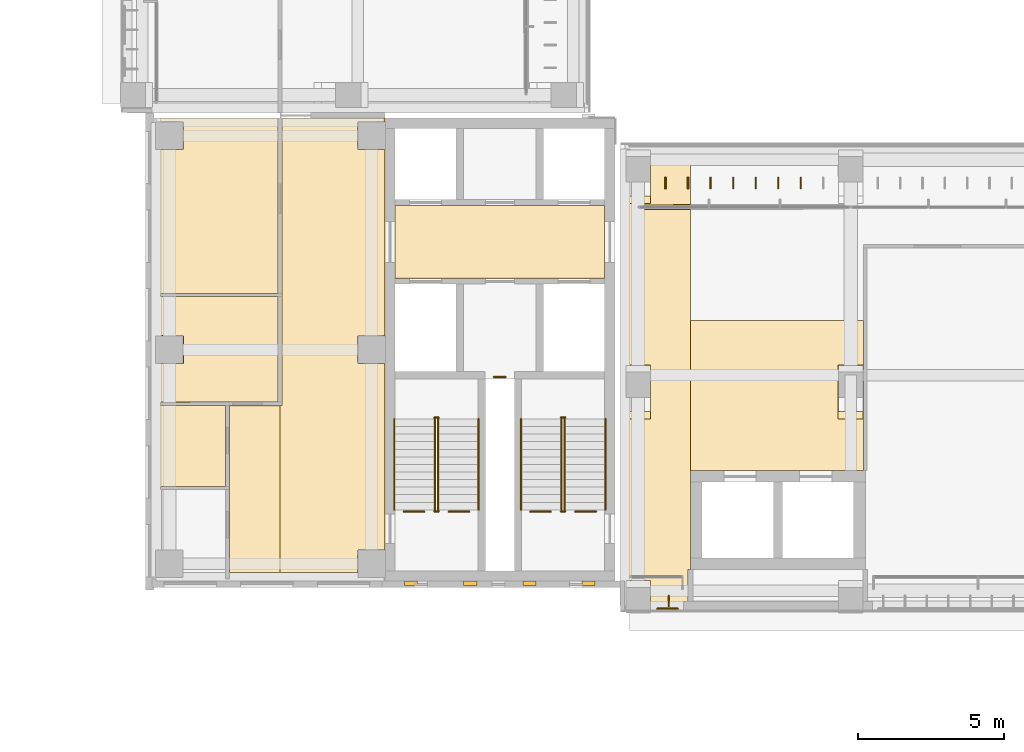
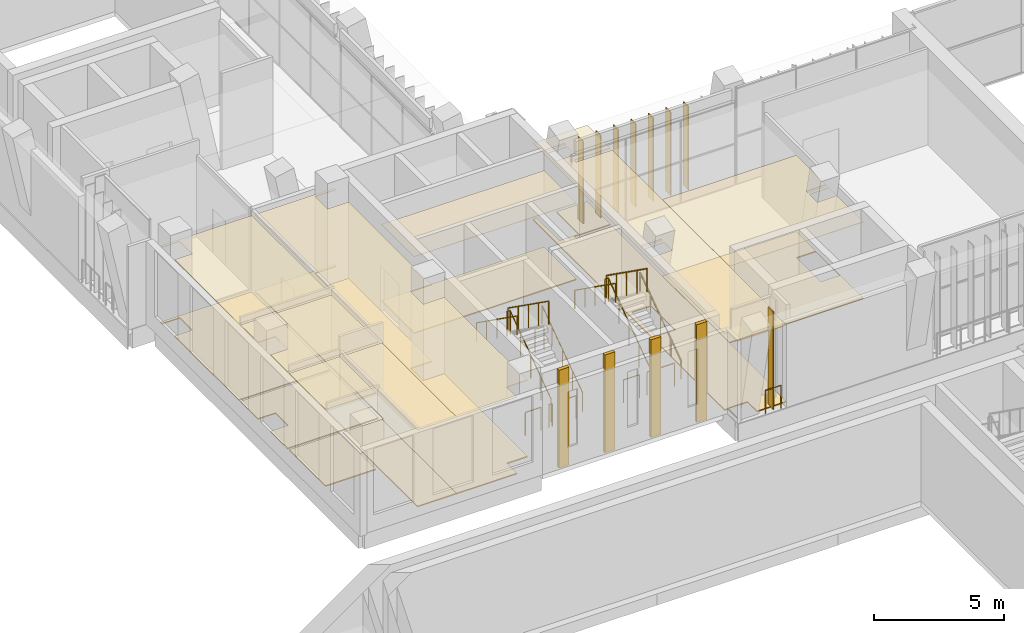
# One storey, part 74 of 92: 20 coverings, 18 railings, 8 shading devices.
"""IFC4 building model written with IfcOpenShell, lengths in metres."""

from ifc_helpers import new_model, si_unit, direction, frame, frame_2d, origin, origin_2d, place, context, subcontext, project, spatial, polyline, rectangle, circle, outline, extrude, material, layer, layer_set, type_object, element, save


model = new_model("IFC4")

# Units and contexts
model_context = context("Model", 3, precision=1e-05, world=origin(), true_north=direction((0.0, 1.0)))
body_context = subcontext(model_context, "Body", "Model", "MODEL_VIEW")
ifc_project = project(units=[si_unit("LENGTHUNIT", "METRE"), si_unit("AREAUNIT", "SQUARE_METRE"), si_unit("VOLUMEUNIT", "CUBIC_METRE"), si_unit("PLANEANGLEUNIT", "RADIAN"), si_unit("MASSUNIT", "GRAM", prefix="KILO")], contexts=[model_context])

# Site, building, storey
site_placement = place(None, origin())
site = spatial("IfcSite", under=ifc_project, at=site_placement, CompositionType="ELEMENT")
building_placement = place(site_placement, origin())
building = spatial("IfcBuilding", under=site, at=building_placement, Name="Lantern Court Media Centre", CompositionType="ELEMENT")
storey_placement = place(building_placement, frame((0.0, 0.0, 4.800048828125)))
storey = spatial("IfcBuildingStorey", under=building, at=storey_placement, Name="L01", CompositionType="ELEMENT", Elevation=4.800048828125)

# Coverings
ifc_material_1 = material(Name="Carpet")
ifc_layer_1 = layer(ifc_material_1, 0.050048828125)
ifc_layer_set_1 = layer_set([ifc_layer_1], Name="Carpet")
covering_type_1 = type_object("IfcCoveringType", Name="Carpet floor finish", PredefinedType="FLOORING", material=ifc_layer_set_1)
covering_1_placement = place(storey_placement, origin())
element("IfcCovering", 1, at=covering_1_placement, inside=storey, type_object=covering_type_1, Name="Library Administration Office floor finish", PredefinedType="FLOORING", context=body_context, shape_type="SweptSolid", body=[
    extrude(outline(polyline([(8.300048828125, 57.77294921875), (12.33251953125, 57.77294921875), (12.33251953125, 54.159423828125), (8.300048828125, 54.14697265625), (8.300048828125, 55.469970703125), (9.080078125, 55.47509765625), (9.078857421875, 56.42822265625), (8.300048828125, 56.429931640625), (8.300048828125, 57.77294921875)])), origin(), (0.0, 0.0, 1.0), 0.050048828125),
])
covering_2_placement = place(storey_placement, origin())
element("IfcCovering", 2, at=covering_2_placement, inside=storey, type_object=covering_type_1, Name="Conservation Laboratory floor finish", PredefinedType="FLOORING", context=body_context, shape_type="SweptSolid", body=[
    extrude(outline(polyline([(8.300048828125, 63.89990234375), (12.33251953125, 63.89990234375), (12.33251953125, 57.883056640625), (8.300048828125, 57.883056640625), (8.300048828125, 62.820068359375), (9.080078125, 62.824951171875), (9.0791015625, 63.77783203125), (8.300048828125, 63.780029296875), (8.300048828125, 63.89990234375)])), origin(), (0.0, 0.0, 1.0), 0.050048828125),
])
covering_3_placement = place(storey_placement, origin())
element("IfcCovering", 3, at=covering_3_placement, inside=storey, type_object=covering_type_1, Name="WC Female floor finish", PredefinedType="FLOORING", context=body_context, shape_type="SweptSolid", body=[
    extrude(outline(polyline([(8.300048828125, 54.037109375), (10.532470703125, 54.037109375), (10.532470703125, 51.2509765625), (8.300048828125, 51.2509765625), (8.300048828125, 54.037109375)])), origin(), (0.0, 0.0, 1.0), 0.050048828125),
])

# Railings
ifc_material_2 = material(Name="Powder-coated steel", Category="steel")
railing_type_1 = type_object("IfcRailingType", Name="Floor edge guard 1100", PredefinedType="GUARDRAIL", material=ifc_material_2)
railing_1_placement = place(storey_placement, frame((18.89990234375, 50.390380859375, 0.0)))
element("IfcRailing", 4, at=railing_1_placement, inside=storey, type_object=railing_type_1, Name="L01 opening guard 42", PredefinedType="GUARDRAIL", context=body_context, shape_type="SweptSolid", body=[
    extrude(circle(Radius=0.02392578125, at=origin_2d()), frame((0.0, 0.0, 1.076171875), z_axis=(-1.0, 0.0, 0.0), x_axis=(0.0, -1.0, 0.0)), (0.0, 0.0, 1.0), 0.70361328125),
    extrude(circle(Radius=0.02099609375, at=origin_2d()), origin(), (0.0, 0.0, 1.0), 1.052001953125),
    extrude(circle(Radius=0.02099609375, at=origin_2d()), frame((-0.70361328125, 0.0, 0.0)), (0.0, 0.0, 1.0), 1.052001953125),
])
railing_2_placement = place(storey_placement, frame((17.353759765625, 50.390380859375, 0.0)))
element("IfcRailing", 5, at=railing_2_placement, inside=storey, type_object=railing_type_1, Name="L01 opening guard 43", PredefinedType="GUARDRAIL", context=body_context, shape_type="SweptSolid", body=[
    extrude(circle(Radius=0.02392578125, at=origin_2d()), frame((0.0, 0.0, 1.076171875), z_axis=(-1.0, 0.0, 0.0), x_axis=(0.0, -1.0, 0.0)), (0.0, 0.0, 1.0), 0.703857421875),
    extrude(circle(Radius=0.02099609375, at=origin_2d()), origin(), (0.0, 0.0, 1.0), 1.052001953125),
    extrude(circle(Radius=0.02099609375, at=origin_2d()), frame((-0.703857421875, 0.0, 0.0)), (0.0, 0.0, 1.0), 1.052001953125),
])
for number, where, name in (
    (6, (23.25, 50.390380859375, 0.0), "L01 opening guard 44"),
    (7, (21.70361328125, 50.390380859375, 0.0), "L01 opening guard 45"),
):
    element("IfcRailing", number, at=place(storey_placement, frame(where)), inside=storey, type_object=railing_type_1, Name=name, PredefinedType="GUARDRAIL", context=body_context, shape_type="SweptSolid", body=[
        extrude(circle(Radius=0.02392578125, at=origin_2d()), frame((0.0, 0.0, 1.076171875), z_axis=(-1.0, 0.0, 0.0), x_axis=(0.0, -1.0, 0.0)), (0.0, 0.0, 1.0), 0.70361328125),
        extrude(circle(Radius=0.02099609375, at=origin_2d()), origin(), (0.0, 0.0, 1.0), 1.052001953125),
        extrude(circle(Radius=0.02099609375, at=origin_2d()), frame((-0.70361328125, 0.0, 0.0)), (0.0, 0.0, 1.0), 1.052001953125),
    ])
railing_3_placement = place(storey_placement, frame((20.14990234375, 55.010009765625, 0.0)))
element("IfcRailing", 8, at=railing_3_placement, inside=storey, type_object=railing_type_1, Name="L01 opening guard 46", PredefinedType="GUARDRAIL", context=body_context, shape_type="SweptSolid", body=[
    extrude(circle(Radius=0.02392578125, at=origin_2d()), frame((0.0, 0.0, 1.076171875), z_axis=(-1.0, 0.0, 0.0), x_axis=(0.0, -1.0, 0.0)), (0.0, 0.0, 1.0), 0.39990234375),
    extrude(circle(Radius=0.02099609375, at=origin_2d()), origin(), (0.0, 0.0, 1.0), 1.052001953125),
    extrude(circle(Radius=0.02099609375, at=origin_2d()), frame((-0.39990234375, 0.0, 0.0)), (0.0, 0.0, 1.0), 1.052001953125),
])
railing_4_placement = place(storey_placement, frame((26.05810546875, 47.06005859375, 0.0)))
element("IfcRailing", 9, at=railing_4_placement, inside=storey, type_object=railing_type_1, Name="L01 edge guard 11", PredefinedType="GUARDRAIL", context=body_context, shape_type="SweptSolid", body=[
    extrude(circle(Radius=0.02392578125, at=origin_2d()), frame((0.0, 0.0, 1.076171875), z_axis=(-1.0, 0.0, 0.0), x_axis=(0.0, -1.0, 0.0)), (0.0, 0.0, 1.0), 0.7001953125),
    extrude(circle(Radius=0.02099609375, at=origin_2d()), origin(), (0.0, 0.0, 1.0), 1.052001953125),
    extrude(circle(Radius=0.02099609375, at=origin_2d()), frame((-0.7001953125, 0.0, 0.0)), (0.0, 0.0, 1.0), 1.052001953125),
])

# Coverings
ifc_material_3 = material(Name="Honed limestone cladding", Category="masonry")
ifc_layer_2 = layer(ifc_material_3, 0.14990234375)
ifc_layer_set_2 = layer_set([ifc_layer_2], Name="Honed limestone cladding")
covering_type_2 = type_object("IfcCoveringType", Name="Limestone pilaster cladding 150", PredefinedType="CLADDING", material=ifc_layer_set_2)
covering_4_placement = place(storey_placement, frame((16.675048828125, 47.925048828125, 0.0), z_axis=(0.0, 0.0, 1.0), x_axis=(1.0, 0.0, 0.0)))
element("IfcCovering", 10, at=covering_4_placement, inside=storey, type_object=covering_type_2, Name="Limestone pilaster rib", PredefinedType="CLADDING", context=body_context, shape_type="SweptSolid", body=[
    extrude(rectangle(XDim=0.449951171875, YDim=0.14990234375, at=frame_2d((0.22509765625, 0.0))), origin(), (0.0, 0.0, 1.0), 4.579833984375),
])
covering_5_placement = place(storey_placement, frame((18.708251953125, 47.925048828125, 0.0), z_axis=(0.0, 0.0, 1.0), x_axis=(1.0, 0.0, 0.0)))
element("IfcCovering", 11, at=covering_5_placement, inside=storey, type_object=covering_type_2, Name="Limestone pilaster rib", PredefinedType="CLADDING", context=body_context, shape_type="SweptSolid", body=[
    extrude(rectangle(XDim=0.4501953125, YDim=0.14990234375, at=frame_2d((0.22509765625, 0.0))), origin(), (0.0, 0.0, 1.0), 4.579833984375),
])
covering_6_placement = place(storey_placement, frame((20.74169921875, 47.925048828125, 0.0), z_axis=(0.0, 0.0, 1.0), x_axis=(1.0, 0.0, 0.0)))
element("IfcCovering", 12, at=covering_6_placement, inside=storey, type_object=covering_type_2, Name="Limestone pilaster rib", PredefinedType="CLADDING", context=body_context, shape_type="SweptSolid", body=[
    extrude(rectangle(XDim=0.449951171875, YDim=0.14990234375, at=frame_2d((0.22509765625, 0.0))), origin(), (0.0, 0.0, 1.0), 4.579833984375),
])
covering_7_placement = place(storey_placement, frame((22.77490234375, 47.925048828125, 0.0), z_axis=(0.0, 0.0, 1.0), x_axis=(1.0, 0.0, 0.0)))
element("IfcCovering", 13, at=covering_7_placement, inside=storey, type_object=covering_type_2, Name="Limestone pilaster rib", PredefinedType="CLADDING", context=body_context, shape_type="SweptSolid", body=[
    extrude(rectangle(XDim=0.4501953125, YDim=0.14990234375, at=frame_2d((0.22509765625, 0.0))), origin(), (0.0, 0.0, 1.0), 4.579833984375),
])

# Railings
railing_type_2 = type_object("IfcRailingType", Name="Stair guard 1100", PredefinedType="GUARDRAIL", material=ifc_material_2)
railing_5_placement = place(storey_placement, frame((17.825927734375, 50.449951171875, 0.1845703125)))
element("IfcRailing", 14, at=railing_5_placement, inside=storey, type_object=railing_type_2, Name="L01 ST-SWA stair guard 1", PredefinedType="GUARDRAIL", context=body_context, shape_type="SweptSolid", body=[
    extrude(circle(Radius=0.02392578125, at=origin_2d()), frame((0.0, 0.0, 1.076171875), z_axis=(0.0, 0.815376961211, 0.578930402662), x_axis=(-1.0, 0.0, 0.0)), (0.0, 0.0, 1.0), 3.82666015625),
    extrude(circle(Radius=0.02099609375, at=origin_2d()), origin(), (0.0, 0.0, 1.0), 1.052001953125),
    extrude(circle(Radius=0.02099609375, at=origin_2d()), frame((0.0, 0.780029296875, 0.5537109375)), (0.0, 0.0, 1.0), 1.052001953125),
    extrude(circle(Radius=0.02099609375, at=origin_2d()), frame((0.0, 1.56005859375, 1.107666015625)), (0.0, 0.0, 1.0), 1.052001953125),
    extrude(circle(Radius=0.02099609375, at=origin_2d()), frame((0.0, 2.340087890625, 1.66162109375)), (0.0, 0.0, 1.0), 1.052001953125),
    extrude(circle(Radius=0.02099609375, at=origin_2d()), frame((0.0, 3.1201171875, 2.21533203125)), (0.0, 0.0, 1.0), 1.052001953125),
])
railing_6_placement = place(storey_placement, frame((17.85009765625, 53.6201171875, 2.39990234375)))
element("IfcRailing", 15, at=railing_6_placement, inside=storey, type_object=railing_type_2, Name="L01 ST-SWA stair guard 2", PredefinedType="GUARDRAIL", context=body_context, shape_type="SweptSolid", body=[
    extrude(circle(Radius=0.02392578125, at=origin_2d()), frame((0.0, 0.0, 1.076171875), z_axis=(-1.0, 0.0, 0.0), x_axis=(0.0, -1.0, 0.0)), (0.0, 0.0, 1.0), 0.150146484375),
    extrude(circle(Radius=0.02099609375, at=origin_2d()), origin(), (0.0, 0.0, 1.0), 1.052001953125),
    extrude(circle(Radius=0.02099609375, at=origin_2d()), frame((-0.150146484375, 0.0, 0.0)), (0.0, 0.0, 1.0), 1.052001953125),
])
railing_7_placement = place(storey_placement, frame((17.72412109375, 53.570068359375, 2.58447265625)))
element("IfcRailing", 16, at=railing_7_placement, inside=storey, type_object=railing_type_2, Name="L01 ST-SWA stair guard 3", PredefinedType="GUARDRAIL", context=body_context, shape_type="SweptSolid", body=[
    extrude(circle(Radius=0.02392578125, at=origin_2d()), frame((0.0, 0.0, 1.076171875), z_axis=(0.0, -0.815346844174, 0.578972817752), x_axis=(1.0, 0.0, 0.0)), (0.0, 0.0, 1.0), 3.82666015625),
    extrude(circle(Radius=0.02099609375, at=origin_2d()), origin(), (0.0, 0.0, 1.0), 1.052001953125),
    extrude(circle(Radius=0.02099609375, at=origin_2d()), frame((0.0, -0.780029296875, 0.553955078125)), (0.0, 0.0, 1.0), 1.052001953125),
    extrude(circle(Radius=0.02099609375, at=origin_2d()), frame((0.0, -1.56005859375, 1.10791015625)), (0.0, 0.0, 1.0), 1.052001953125),
    extrude(circle(Radius=0.02099609375, at=origin_2d()), frame((0.0, -2.340087890625, 1.66162109375)), (0.0, 0.0, 1.0), 1.052001953125),
    extrude(circle(Radius=0.02099609375, at=origin_2d()), frame((0.0, -3.1201171875, 2.215576171875)), (0.0, 0.0, 1.0), 1.052001953125),
])
railing_8_placement = place(storey_placement, frame((17.85009765625, 50.39990234375, 0.0)))
element("IfcRailing", 17, at=railing_8_placement, inside=storey, type_object=railing_type_2, Name="L01 ST-SWA stair guard 4", PredefinedType="GUARDRAIL", context=body_context, shape_type="SweptSolid", body=[
    extrude(circle(Radius=0.02392578125, at=origin_2d()), frame((0.0, 0.0, 1.076171875), z_axis=(-1.0, 0.0, 0.0), x_axis=(0.0, -1.0, 0.0)), (0.0, 0.0, 1.0), 0.150146484375),
    extrude(circle(Radius=0.02099609375, at=origin_2d()), origin(), (0.0, 0.0, 1.0), 1.052001953125),
    extrude(circle(Radius=0.02099609375, at=origin_2d()), frame((-0.150146484375, 0.0, 0.0)), (0.0, 0.0, 1.0), 1.052001953125),
])
railing_9_placement = place(storey_placement, frame((22.176025390625, 50.449951171875, 0.1845703125)))
element("IfcRailing", 18, at=railing_9_placement, inside=storey, type_object=railing_type_2, Name="L01 ST-SWB stair guard 1", PredefinedType="GUARDRAIL", context=body_context, shape_type="SweptSolid", body=[
    extrude(circle(Radius=0.02392578125, at=origin_2d()), frame((0.0, 0.0, 1.076171875), z_axis=(0.0, 0.815376961211, 0.578930402662), x_axis=(-1.0, 0.0, 0.0)), (0.0, 0.0, 1.0), 3.82666015625),
    extrude(circle(Radius=0.02099609375, at=origin_2d()), origin(), (0.0, 0.0, 1.0), 1.052001953125),
    extrude(circle(Radius=0.02099609375, at=origin_2d()), frame((0.0, 0.780029296875, 0.5537109375)), (0.0, 0.0, 1.0), 1.052001953125),
    extrude(circle(Radius=0.02099609375, at=origin_2d()), frame((0.0, 1.56005859375, 1.107666015625)), (0.0, 0.0, 1.0), 1.052001953125),
    extrude(circle(Radius=0.02099609375, at=origin_2d()), frame((0.0, 2.340087890625, 1.66162109375)), (0.0, 0.0, 1.0), 1.052001953125),
    extrude(circle(Radius=0.02099609375, at=origin_2d()), frame((0.0, 3.1201171875, 2.21533203125)), (0.0, 0.0, 1.0), 1.052001953125),
])
railing_10_placement = place(storey_placement, frame((22.199951171875, 53.6201171875, 2.39990234375)))
element("IfcRailing", 19, at=railing_10_placement, inside=storey, type_object=railing_type_2, Name="L01 ST-SWB stair guard 2", PredefinedType="GUARDRAIL", context=body_context, shape_type="SweptSolid", body=[
    extrude(circle(Radius=0.02392578125, at=origin_2d()), frame((0.0, 0.0, 1.076171875), z_axis=(-1.0, 0.0, 0.0), x_axis=(0.0, -1.0, 0.0)), (0.0, 0.0, 1.0), 0.14990234375),
    extrude(circle(Radius=0.02099609375, at=origin_2d()), origin(), (0.0, 0.0, 1.0), 1.052001953125),
    extrude(circle(Radius=0.02099609375, at=origin_2d()), frame((-0.14990234375, 0.0, 0.0)), (0.0, 0.0, 1.0), 1.052001953125),
])
railing_11_placement = place(storey_placement, frame((22.073974609375, 53.570068359375, 2.58447265625)))
element("IfcRailing", 20, at=railing_11_placement, inside=storey, type_object=railing_type_2, Name="L01 ST-SWB stair guard 3", PredefinedType="GUARDRAIL", context=body_context, shape_type="SweptSolid", body=[
    extrude(circle(Radius=0.02392578125, at=origin_2d()), frame((0.0, 0.0, 1.076171875), z_axis=(0.0, -0.815346844174, 0.578972817752), x_axis=(1.0, 0.0, 0.0)), (0.0, 0.0, 1.0), 3.82666015625),
    extrude(circle(Radius=0.02099609375, at=origin_2d()), origin(), (0.0, 0.0, 1.0), 1.052001953125),
    extrude(circle(Radius=0.02099609375, at=origin_2d()), frame((0.0, -0.780029296875, 0.553955078125)), (0.0, 0.0, 1.0), 1.052001953125),
    extrude(circle(Radius=0.02099609375, at=origin_2d()), frame((0.0, -1.56005859375, 1.10791015625)), (0.0, 0.0, 1.0), 1.052001953125),
    extrude(circle(Radius=0.02099609375, at=origin_2d()), frame((0.0, -2.340087890625, 1.66162109375)), (0.0, 0.0, 1.0), 1.052001953125),
    extrude(circle(Radius=0.02099609375, at=origin_2d()), frame((0.0, -3.1201171875, 2.215576171875)), (0.0, 0.0, 1.0), 1.052001953125),
])
railing_12_placement = place(storey_placement, frame((22.199951171875, 50.39990234375, 0.0)))
element("IfcRailing", 21, at=railing_12_placement, inside=storey, type_object=railing_type_2, Name="L01 ST-SWB stair guard 4", PredefinedType="GUARDRAIL", context=body_context, shape_type="SweptSolid", body=[
    extrude(circle(Radius=0.02392578125, at=origin_2d()), frame((0.0, 0.0, 1.076171875), z_axis=(-1.0, 0.0, 0.0), x_axis=(0.0, -1.0, 0.0)), (0.0, 0.0, 1.0), 0.14990234375),
    extrude(circle(Radius=0.02099609375, at=origin_2d()), origin(), (0.0, 0.0, 1.0), 1.052001953125),
    extrude(circle(Radius=0.02099609375, at=origin_2d()), frame((-0.14990234375, 0.0, 0.0)), (0.0, 0.0, 1.0), 1.052001953125),
])
railing_type_3 = type_object("IfcRailingType", Name="Stair handrail 900", PredefinedType="HANDRAIL", material=ifc_material_2)
railing_13_placement = place(storey_placement, frame((19.22412109375, 50.449951171875, 0.1845703125)))
element("IfcRailing", 22, at=railing_13_placement, inside=storey, type_object=railing_type_3, Name="L01 ST-SWA stair handrail 1", PredefinedType="HANDRAIL", context=body_context, shape_type="SweptSolid", body=[
    extrude(circle(Radius=0.02392578125, at=origin_2d()), frame((0.0, 0.0, 0.8759765625), z_axis=(0.0, 0.815376961211, 0.578930402662), x_axis=(-1.0, 0.0, 0.0)), (0.0, 0.0, 1.0), 3.82666015625),
    extrude(circle(Radius=0.02099609375, at=origin_2d()), origin(), (0.0, 0.0, 1.0), 0.851806640625),
    extrude(circle(Radius=0.02099609375, at=origin_2d()), frame((0.0, 0.780029296875, 0.5537109375)), (0.0, 0.0, 1.0), 0.851806640625),
    extrude(circle(Radius=0.02099609375, at=origin_2d()), frame((0.0, 1.56005859375, 1.107666015625)), (0.0, 0.0, 1.0), 0.851806640625),
    extrude(circle(Radius=0.02099609375, at=origin_2d()), frame((0.0, 2.340087890625, 1.66162109375)), (0.0, 0.0, 1.0), 0.851806640625),
    extrude(circle(Radius=0.02099609375, at=origin_2d()), frame((0.0, 3.1201171875, 2.21533203125)), (0.0, 0.0, 1.0), 0.851806640625),
])
railing_14_placement = place(storey_placement, frame((16.325927734375, 53.570068359375, 2.58447265625)))
element("IfcRailing", 23, at=railing_14_placement, inside=storey, type_object=railing_type_3, Name="L01 ST-SWA stair handrail 2", PredefinedType="HANDRAIL", context=body_context, shape_type="SweptSolid", body=[
    extrude(circle(Radius=0.02392578125, at=origin_2d()), frame((0.0, 0.0, 0.8759765625), z_axis=(0.0, -0.815346844174, 0.578972817752), x_axis=(1.0, 0.0, 0.0)), (0.0, 0.0, 1.0), 3.82666015625),
    extrude(circle(Radius=0.02099609375, at=origin_2d()), origin(), (0.0, 0.0, 1.0), 0.851806640625),
    extrude(circle(Radius=0.02099609375, at=origin_2d()), frame((0.0, -0.780029296875, 0.553955078125)), (0.0, 0.0, 1.0), 0.851806640625),
    extrude(circle(Radius=0.02099609375, at=origin_2d()), frame((0.0, -1.56005859375, 1.10791015625)), (0.0, 0.0, 1.0), 0.851806640625),
    extrude(circle(Radius=0.02099609375, at=origin_2d()), frame((0.0, -2.340087890625, 1.66162109375)), (0.0, 0.0, 1.0), 0.851806640625),
    extrude(circle(Radius=0.02099609375, at=origin_2d()), frame((0.0, -3.1201171875, 2.215576171875)), (0.0, 0.0, 1.0), 0.851806640625),
])
railing_15_placement = place(storey_placement, frame((23.573974609375, 50.449951171875, 0.1845703125)))
element("IfcRailing", 24, at=railing_15_placement, inside=storey, type_object=railing_type_3, Name="L01 ST-SWB stair handrail 1", PredefinedType="HANDRAIL", context=body_context, shape_type="SweptSolid", body=[
    extrude(circle(Radius=0.02392578125, at=origin_2d()), frame((0.0, 0.0, 0.8759765625), z_axis=(0.0, 0.815376961211, 0.578930402662), x_axis=(-1.0, 0.0, 0.0)), (0.0, 0.0, 1.0), 3.82666015625),
    extrude(circle(Radius=0.02099609375, at=origin_2d()), origin(), (0.0, 0.0, 1.0), 0.851806640625),
    extrude(circle(Radius=0.02099609375, at=origin_2d()), frame((0.0, 0.780029296875, 0.5537109375)), (0.0, 0.0, 1.0), 0.851806640625),
    extrude(circle(Radius=0.02099609375, at=origin_2d()), frame((0.0, 1.56005859375, 1.107666015625)), (0.0, 0.0, 1.0), 0.851806640625),
    extrude(circle(Radius=0.02099609375, at=origin_2d()), frame((0.0, 2.340087890625, 1.66162109375)), (0.0, 0.0, 1.0), 0.851806640625),
    extrude(circle(Radius=0.02099609375, at=origin_2d()), frame((0.0, 3.1201171875, 2.21533203125)), (0.0, 0.0, 1.0), 0.851806640625),
])
railing_16_placement = place(storey_placement, frame((20.676025390625, 53.570068359375, 2.58447265625)))
element("IfcRailing", 25, at=railing_16_placement, inside=storey, type_object=railing_type_3, Name="L01 ST-SWB stair handrail 2", PredefinedType="HANDRAIL", context=body_context, shape_type="SweptSolid", body=[
    extrude(circle(Radius=0.02392578125, at=origin_2d()), frame((0.0, 0.0, 0.8759765625), z_axis=(0.0, -0.815346844174, 0.578972817752), x_axis=(1.0, 0.0, 0.0)), (0.0, 0.0, 1.0), 3.82666015625),
    extrude(circle(Radius=0.02099609375, at=origin_2d()), origin(), (0.0, 0.0, 1.0), 0.851806640625),
    extrude(circle(Radius=0.02099609375, at=origin_2d()), frame((0.0, -0.780029296875, 0.553955078125)), (0.0, 0.0, 1.0), 0.851806640625),
    extrude(circle(Radius=0.02099609375, at=origin_2d()), frame((0.0, -1.56005859375, 1.10791015625)), (0.0, 0.0, 1.0), 0.851806640625),
    extrude(circle(Radius=0.02099609375, at=origin_2d()), frame((0.0, -2.340087890625, 1.66162109375)), (0.0, 0.0, 1.0), 0.851806640625),
    extrude(circle(Radius=0.02099609375, at=origin_2d()), frame((0.0, -3.1201171875, 2.215576171875)), (0.0, 0.0, 1.0), 0.851806640625),
])

# Coverings
ifc_material_4 = material(Name="Mineral fibre ceiling tile")
ifc_layer_3 = layer(ifc_material_4, 0.02001953125)
ifc_layer_set_3 = layer_set([ifc_layer_3], Name="Mineral fibre ceiling tile")
covering_type_3 = type_object("IfcCoveringType", Name="Suspended ceiling tile", PredefinedType="CEILING", material=ifc_layer_set_3)
covering_8_placement = place(storey_placement, frame((0.0, 0.0, 3.599853515625)))
element("IfcCovering", 26, at=covering_8_placement, inside=storey, type_object=covering_type_3, Name="End Lobby ceiling", PredefinedType="CEILING", context=body_context, shape_type="SweptSolid", body=[
    extrude(outline(polyline([(26.5, 60.7744140625), (26.49951171875, 48.400390625), (26.41943359375, 48.400146484375), (26.41943359375, 47.300537109375), (24.240478515625, 47.300048828125), (24.240478515625, 48.0), (24.10009765625, 48.00048828125), (24.10009765625, 62.699951171875), (26.5, 62.699951171875), (26.5, 60.925537109375), (24.8994140625, 60.925048828125), (24.89990234375, 60.7744140625), (26.5, 60.7744140625)]), holes=[polyline([(25.125, 53.822509765625), (25.125244140625, 54.425537109375), (24.274658203125, 54.42529296875), (24.274658203125, 53.822509765625), (25.125, 53.822509765625)]), polyline([(25.125, 54.574462890625), (25.125, 54.67333984375), (24.2744140625, 54.6728515625), (24.27490234375, 54.574462890625), (25.125, 54.574462890625)]), polyline([(25.125, 61.222412109375), (25.125244140625, 61.825439453125), (24.274658203125, 61.8251953125), (24.274658203125, 61.222412109375), (25.125, 61.222412109375)]), polyline([(25.125, 61.974609375), (25.125, 62.073486328125), (24.2744140625, 62.072998046875), (24.27490234375, 61.974609375), (25.125, 61.974609375)])]), origin(), (0.0, 0.0, 1.0), 0.02001953125),
])
covering_9_placement = place(storey_placement, frame((0.0, 0.0, 3.599853515625)))
element("IfcCovering", 27, at=covering_9_placement, inside=storey, type_object=covering_type_3, Name="Lift Lobby ceiling", PredefinedType="CEILING", context=body_context, shape_type="SweptSolid", body=[
    extrude(outline(polyline([(26.5, 56.949951171875), (32.43701171875, 56.949951171875), (32.43701171875, 51.800537109375), (26.5, 51.800537109375), (26.5, 56.949951171875)]), holes=[polyline([(32.425048828125, 53.822509765625), (32.42529296875, 54.425537109375), (31.574462890625, 54.42529296875), (31.57470703125, 53.822509765625), (32.425048828125, 53.822509765625)]), polyline([(32.425048828125, 54.574462890625), (32.425048828125, 54.67333984375), (31.574462890625, 54.6728515625), (31.574951171875, 54.574462890625), (32.425048828125, 54.574462890625)])]), origin(), (0.0, 0.0, 1.0), 0.02001953125),
])
covering_10_placement = place(storey_placement, frame((0.0, 0.0, 3.599853515625)))
element("IfcCovering", 28, at=covering_10_placement, inside=storey, type_object=covering_type_3, Name="Lift Lobby ceiling", PredefinedType="CEILING", context=body_context, shape_type="SweptSolid", body=[
    extrude(outline(polyline([(16.3505859375, 60.8994140625), (23.549560546875, 60.8994140625), (23.549560546875, 58.400390625), (16.3505859375, 58.400390625), (16.3505859375, 60.8994140625)])), origin(), (0.0, 0.0, 1.0), 0.02001953125),
])
covering_11_placement = place(storey_placement, frame((0.0, 0.0, 3.599853515625)))
element("IfcCovering", 29, at=covering_11_placement, inside=storey, type_object=covering_type_3, Name="Corridor ceiling", PredefinedType="CEILING", context=body_context, shape_type="SweptSolid", body=[
    extrude(outline(polyline([(12.39990234375, 48.300048828125), (12.39990234375, 54.029052734375), (12.462890625, 54.029541015625), (12.462890625, 63.8994140625), (15.99951171875, 63.8994140625), (15.99951171875, 63.775390625), (15.074462890625, 63.77490234375), (15.07470703125, 62.82470703125), (15.99951171875, 62.824462890625), (15.99951171875, 56.425537109375), (15.074462890625, 56.425048828125), (15.07470703125, 55.474609375), (15.99951171875, 55.474609375), (15.99951171875, 49.075439453125), (15.07470703125, 49.075439453125), (15.074462890625, 48.300048828125), (12.39990234375, 48.300048828125)])), origin(), (0.0, 0.0, 1.0), 0.02001953125),
])
covering_12_placement = place(storey_placement, frame((0.0, 0.0, 3.599853515625)))
element("IfcCovering", 30, at=covering_12_placement, inside=storey, type_object=covering_type_3, Name="Library Administration Office ceiling", PredefinedType="CEILING", context=body_context, shape_type="SweptSolid", body=[
    extrude(outline(polyline([(8.300048828125, 57.777587890625), (12.3369140625, 57.777587890625), (12.3369140625, 54.155029296875), (8.300048828125, 54.142578125), (8.300048828125, 55.474609375), (9.075439453125, 55.47509765625), (9.075439453125, 56.42529296875), (8.300048828125, 56.425537109375), (8.300048828125, 57.777587890625)])), origin(), (0.0, 0.0, 1.0), 0.02001953125),
])
covering_13_placement = place(storey_placement, frame((0.0, 0.0, 3.599853515625)))
element("IfcCovering", 31, at=covering_13_placement, inside=storey, type_object=covering_type_3, Name="Conservation Laboratory ceiling", PredefinedType="CEILING", context=body_context, shape_type="SweptSolid", body=[
    extrude(outline(polyline([(8.300048828125, 63.89990234375), (12.3369140625, 63.89990234375), (12.3369140625, 57.87841796875), (8.300048828125, 57.87841796875), (8.300048828125, 62.824462890625), (9.075439453125, 62.824951171875), (9.075439453125, 63.775390625), (8.300048828125, 63.775390625), (8.300048828125, 63.89990234375)])), origin(), (0.0, 0.0, 1.0), 0.02001953125),
])
covering_14_placement = place(storey_placement, frame((0.0, 0.0, 3.599853515625)))
element("IfcCovering", 32, at=covering_14_placement, inside=storey, type_object=covering_type_3, Name="WC Lobby ceiling", PredefinedType="CEILING", context=body_context, shape_type="SweptSolid", body=[
    extrude(outline(polyline([(12.39990234375, 48.300048828125), (10.6630859375, 48.300048828125), (10.6630859375, 54.029052734375), (12.39990234375, 54.029052734375), (12.39990234375, 48.300048828125)])), origin(), (0.0, 0.0, 1.0), 0.02001953125),
])
covering_15_placement = place(storey_placement, frame((0.0, 0.0, 3.599853515625)))
element("IfcCovering", 33, at=covering_15_placement, inside=storey, type_object=covering_type_3, Name="WC Female ceiling", PredefinedType="CEILING", context=body_context, shape_type="SweptSolid", body=[
    extrude(outline(polyline([(8.300048828125, 54.04150390625), (10.537109375, 54.04150390625), (10.537109375, 51.24658203125), (8.300048828125, 51.24658203125), (8.300048828125, 54.04150390625)])), origin(), (0.0, 0.0, 1.0), 0.02001953125),
])
ifc_material_5 = material(Name="Terrazzo")
ifc_layer_4 = layer(ifc_material_5, 0.050048828125)
ifc_layer_set_4 = layer_set([ifc_layer_4], Name="Terrazzo")
covering_type_4 = type_object("IfcCoveringType", Name="Terrazzo floor finish", PredefinedType="FLOORING", material=ifc_layer_set_4)
covering_16_placement = place(storey_placement, origin())
element("IfcCovering", 34, at=covering_16_placement, inside=storey, type_object=covering_type_4, Name="End Lobby floor finish", PredefinedType="FLOORING", context=body_context, shape_type="SweptSolid", body=[
    extrude(outline(polyline([(26.5, 60.77001953125), (26.4951171875, 48.405029296875), (26.4150390625, 48.400390625), (26.4150390625, 47.304931640625), (25.1298828125, 47.300048828125), (25.128173828125, 48.02880859375), (24.27490234375, 48.030029296875), (24.27001953125, 47.300048828125), (24.2451171875, 47.300048828125), (24.244873046875, 48.0009765625), (24.10009765625, 48.0048828125), (24.10009765625, 62.699951171875), (24.27001953125, 62.699951171875), (24.27490234375, 60.969970703125), (25.12939453125, 60.97265625), (25.1298828125, 62.699951171875), (26.5, 62.699951171875), (26.5, 60.929931640625), (24.89501953125, 60.925048828125), (24.8994140625, 60.77001953125), (26.5, 60.77001953125)]), holes=[polyline([(24.27001953125, 53.574951171875), (25.129638671875, 53.572998046875), (25.126953125, 55.4296875), (24.270263671875, 55.427001953125), (24.27001953125, 53.574951171875)])]), origin(), (0.0, 0.0, 1.0), 0.050048828125),
])
covering_17_placement = place(storey_placement, origin())
element("IfcCovering", 35, at=covering_17_placement, inside=storey, type_object=covering_type_4, Name="Lift Lobby floor finish", PredefinedType="FLOORING", context=body_context, shape_type="SweptSolid", body=[
    extrude(outline(polyline([(26.5, 56.949951171875), (32.4326171875, 56.949951171875), (32.4326171875, 51.804931640625), (26.5, 51.804931640625), (26.5, 56.949951171875)]), holes=[polyline([(31.570068359375, 53.574951171875), (32.4296875, 53.572998046875), (32.427001953125, 55.4296875), (31.5703125, 55.427001953125), (31.570068359375, 53.574951171875)])]), origin(), (0.0, 0.0, 1.0), 0.050048828125),
])
covering_18_placement = place(storey_placement, origin())
element("IfcCovering", 36, at=covering_18_placement, inside=storey, type_object=covering_type_4, Name="Lift Lobby floor finish", PredefinedType="FLOORING", context=body_context, shape_type="SweptSolid", body=[
    extrude(outline(polyline([(16.35498046875, 60.89501953125), (23.544921875, 60.89501953125), (23.544921875, 58.405029296875), (16.35498046875, 58.405029296875), (16.35498046875, 60.89501953125)])), origin(), (0.0, 0.0, 1.0), 0.050048828125),
])
covering_19_placement = place(storey_placement, origin())
element("IfcCovering", 37, at=covering_19_placement, inside=storey, type_object=covering_type_4, Name="Corridor floor finish", PredefinedType="FLOORING", context=body_context, shape_type="SweptSolid", body=[
    extrude(outline(polyline([(12.39990234375, 48.300048828125), (12.39990234375, 54.0244140625), (12.467529296875, 54.029541015625), (12.467529296875, 63.89501953125), (15.9951171875, 63.89501953125), (15.9951171875, 63.780029296875), (15.070068359375, 63.77490234375), (15.071533203125, 62.821533203125), (15.9951171875, 62.820068359375), (15.9951171875, 56.429931640625), (15.070068359375, 56.425048828125), (15.071533203125, 55.471435546875), (15.9951171875, 55.469970703125), (15.9951171875, 49.080078125), (15.07177734375, 49.078857421875), (15.070068359375, 48.300048828125), (12.39990234375, 48.300048828125)])), origin(), (0.0, 0.0, 1.0), 0.050048828125),
])
covering_20_placement = place(storey_placement, origin())
element("IfcCovering", 38, at=covering_20_placement, inside=storey, type_object=covering_type_4, Name="WC Lobby floor finish", PredefinedType="FLOORING", context=body_context, shape_type="SweptSolid", body=[
    extrude(outline(polyline([(12.39990234375, 48.300048828125), (10.66748046875, 48.300048828125), (10.66748046875, 54.0244140625), (12.39990234375, 54.0244140625), (12.39990234375, 48.300048828125)])), origin(), (0.0, 0.0, 1.0), 0.050048828125),
])

# Shading devices
ifc_material_6 = material(Name="Bronze anodised aluminium louvre", Category="aluminium")
ifc_layer_5 = layer(ifc_material_6, 0.0400390625)
ifc_layer_set_5 = layer_set([ifc_layer_5], Name="Bronze anodised aluminium louvre")
shading_device_type_1 = type_object("IfcShadingDeviceType", Name="Vertical louvre 40x400 full storey", PredefinedType="USERDEFINED", material=ifc_layer_set_5)
shading_device_placement = place(storey_placement, frame((25.75, 47.320068359375, 0.0), z_axis=(0.0, 0.0, 1.0), x_axis=(1.0, 0.0, 0.0)))
element("IfcShadingDevice", 39, at=shading_device_placement, inside=storey, type_object=shading_device_type_1, Name="Vertical louvre S outer L01", ObjectType="VERTICAL LOUVRE", PredefinedType="USERDEFINED", context=body_context, shape_type="SweptSolid", body=[
    extrude(rectangle(XDim=0.0400390625, YDim=0.39990234375, at=origin_2d()), origin(), (0.0, 0.0, 1.0), 4.580078125),
])
ifc_layer_6 = layer(ifc_material_6, 0.0400390625)
ifc_layer_set_6 = layer_set([ifc_layer_6], Name="Bronze anodised aluminium louvre")
shading_device_type_2 = type_object("IfcShadingDeviceType", Name="Vertical louvre 40x400 under beam", PredefinedType="USERDEFINED", material=ifc_layer_set_6)
for number, where, z_axis, x_axis, name in (
    (40, (25.637451171875, 61.679931640625, 0.0), (0.0, 0.0, 1.0), (1.0, 0.0, 0.0), "Vertical louvre S inner L01"),
    (41, (26.41259765625, 61.679931640625, 0.0), (0.0, 0.0, 1.0), (1.0, 0.0, 0.0), "Vertical louvre S inner L01"),
    (42, (27.1875, 61.679931640625, 0.0), (0.0, 0.0, 1.0), (1.0, 0.0, 0.0), "Vertical louvre S inner L01"),
    (43, (27.96240234375, 61.679931640625, 0.0), (0.0, 0.0, 1.0), (1.0, 0.0, 0.0), "Vertical louvre S inner L01"),
    (44, (28.737548828125, 61.679931640625, 0.0), (0.0, 0.0, 1.0), (1.0, 0.0, 0.0), "Vertical louvre S inner L01"),
    (45, (29.512451171875, 61.679931640625, 0.0), (0.0, 0.0, 1.0), (1.0, 0.0, 0.0), "Vertical louvre S inner L01"),
    (46, (30.28759765625, 61.679931640625, 0.0), (0.0, 0.0, 1.0), (1.0, 0.0, 0.0), "Vertical louvre S inner L01"),
):
    element("IfcShadingDevice", number, at=place(storey_placement, frame(where, z_axis=z_axis, x_axis=x_axis)), inside=storey, type_object=shading_device_type_2, Name=name, ObjectType="VERTICAL LOUVRE", PredefinedType="USERDEFINED", context=body_context, shape_type="SweptSolid", body=[
        extrude(rectangle(XDim=0.0400390625, YDim=0.39990234375, at=origin_2d()), origin(), (0.0, 0.0, 1.0), 3.89990234375),
    ])

save(model, "model.ifc")
